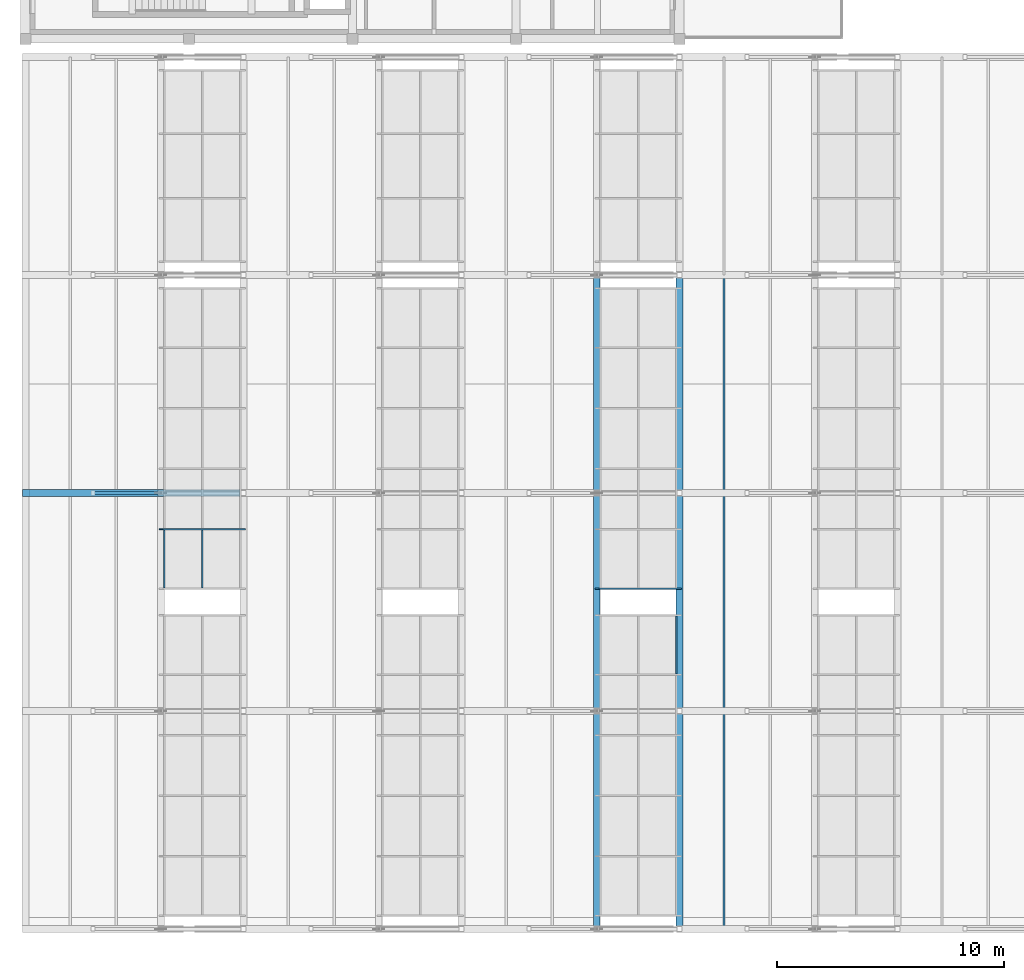
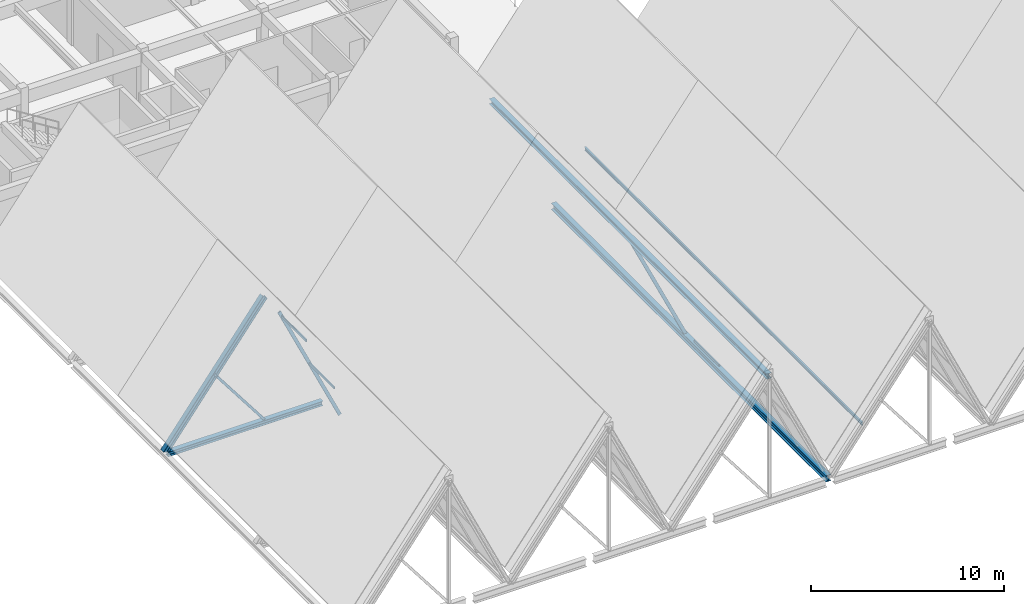
# One storey, part 13 of 99: 9 members, 2 beams, 3 elements without a shape of their own.
"""IFC4 building model written with IfcOpenShell, lengths in metres."""

from ifc_helpers import new_model, si_unit, direction, frame, origin, origin_2d, place, context, subcontext, project, spatial, hollow_rectangle, i_section, extrude, material, material_profile, profile_set, type_object, element, aggregate, save


model = new_model("IFC4")

# Units and contexts
model_context = context("Model", 3, precision=1e-05, world=origin(), true_north=direction((0.0, 1.0)))
body_context = subcontext(model_context, "Body", "Model", "MODEL_VIEW")
ifc_project = project(units=[si_unit("LENGTHUNIT", "METRE"), si_unit("AREAUNIT", "SQUARE_METRE"), si_unit("VOLUMEUNIT", "CUBIC_METRE"), si_unit("PLANEANGLEUNIT", "RADIAN"), si_unit("MASSUNIT", "GRAM", prefix="KILO")], contexts=[model_context])

# Site, building, storey
site_placement = place(None, origin())
site = spatial("IfcSite", under=ifc_project, at=site_placement, CompositionType="ELEMENT")
building_placement = place(site_placement, origin())
building = spatial("IfcBuilding", under=site, at=building_placement, Name="Bramveld Media Centre", CompositionType="ELEMENT")
storey_placement = place(building_placement, frame((0.0, 0.0, 13.800048828125)))
storey = spatial("IfcBuildingStorey", under=building, at=storey_placement, Name="L03", CompositionType="ELEMENT", Elevation=13.800048828125)

# Curtain wall, member
ifc_material_1 = material(Name="Thermally broken anodized bronze aluminium unitized curtain wall with solar-control triple glazing", Category="aluminium")
curtain_wall_type = type_object("IfcCurtainWallType", Name="CW-SAW-13300x8606", PredefinedType="NOTDEFINED", material=ifc_material_1)
curtain_wall_1_placement = place(storey_placement, origin())
curtain_wall_1 = element("IfcCurtainWall", 1, at=curtain_wall_1_placement, inside=storey, type_object=curtain_wall_type, Name="V2 sawtooth north-light clerestory B1-S2", PredefinedType="NOTDEFINED")
ifc_material_2 = material(Name="Thermally broken anodized bronze aluminium EN AW-6063 T6 curtain-wall framing", Category="aluminium")
ifc_material_profile_1 = material_profile(ifc_material_2, hollow_rectangle(XDim=0.070068359375, YDim=0.199951171875, WallThickness=0.00439453125, InnerFilletRadius=0.00439453125, OuterFilletRadius=0.009033203125, at=origin_2d()), Name="AL-MULL 70x200")
ifc_profile_set_1 = profile_set([ifc_material_profile_1], Name="Thermally broken anodized bronze aluminium EN AW-6063 T6 curtain-wall framing")
member_type_1 = type_object("IfcMemberType", Name="CW-MULL-SLP", PredefinedType="MULLION", material=ifc_profile_set_1)
member_1_placement = place(storey_placement, frame((9.60009765625, 17.610107421875, -0.02001953125), z_axis=(-0.423956992265, 0.0, 0.90568232218), x_axis=(0.0, -1.0, 0.0)))
member_1 = element("IfcMember", 2, at=member_1_placement, type_object=member_type_1, Name="CW-SA-13386 sloped mullion 2", PredefinedType="MULLION", context=body_context, shape_type="SweptSolid", body=[
    extrude(hollow_rectangle(XDim=0.070068359375, YDim=0.199951171875, WallThickness=0.00439453125, InnerFilletRadius=0.00439453125, OuterFilletRadius=0.009033203125, at=origin_2d()), origin(), (0.0, 0.0, 1.0), 8.5791015625),
])

curtain_wall_2_placement = place(storey_placement, origin())
curtain_wall_2 = element("IfcCurtainWall", 3, at=curtain_wall_2_placement, inside=storey, type_object=curtain_wall_type, Name="V2 sawtooth north-light clerestory B3-S2", PredefinedType="NOTDEFINED")
member_2_placement = place(storey_placement, frame((28.800048828125, 14.985107421875, -0.02001953125), z_axis=(-0.423956992265, 0.0, 0.90568232218), x_axis=(0.0, -1.0, 0.0)))
member_2 = element("IfcMember", 4, at=member_2_placement, type_object=member_type_1, Name="CW-SA-13386 sloped mullion 1", PredefinedType="MULLION", context=body_context, shape_type="SweptSolid", body=[
    extrude(hollow_rectangle(XDim=0.070068359375, YDim=0.199951171875, WallThickness=0.00439453125, InnerFilletRadius=0.00439453125, OuterFilletRadius=0.009033203125, at=origin_2d()), origin(), (0.0, 0.0, 1.0), 8.5791015625),
])
aggregate(curtain_wall_2, [member_2])

# Member
ifc_material_3 = material(Name="Thermally broken anodized bronze aluminium EN AW-6063 T6 curtain-wall framing", Category="aluminium")
ifc_material_profile_2 = material_profile(ifc_material_3, hollow_rectangle(XDim=0.070068359375, YDim=0.14990234375, WallThickness=0.00390625, InnerFilletRadius=0.00390625, OuterFilletRadius=0.008056640625, at=origin_2d()), Name="AL-TRAN 70x150")
ifc_profile_set_2 = profile_set([ifc_material_profile_2], Name="Thermally broken anodized bronze aluminium EN AW-6063 T6 curtain-wall framing")
member_type_2 = type_object("IfcMemberType", Name="CW-TRAN-SLP", PredefinedType="USERDEFINED", material=ifc_profile_set_2)
member_3_placement = place(storey_placement, frame((7.781494140625, 15.02001953125, 3.864990234375), z_axis=(0.0, 1.0, 0.0), x_axis=(-1.0, 0.0, 0.0)))
member_3 = element("IfcMember", 5, at=member_3_placement, type_object=member_type_2, Name="CW-SA-13386 transom 1.2", ObjectType="TRANSOM", PredefinedType="USERDEFINED", context=body_context, shape_type="SweptSolid", body=[
    extrude(hollow_rectangle(XDim=0.070068359375, YDim=0.14990234375, WallThickness=0.00390625, InnerFilletRadius=0.00390625, OuterFilletRadius=0.008056640625, at=origin_2d()), origin(), (0.0, 0.0, 1.0), 2.554931640625),
])

member_4_placement = place(storey_placement, frame((6.1083984375, 15.02001953125, 7.439208984375), z_axis=(0.0, 1.0, 0.0), x_axis=(-1.0, 0.0, 0.0)))
member_4 = element("IfcMember", 6, at=member_4_placement, type_object=member_type_2, Name="CW-SA-13386 transom 1.3", ObjectType="TRANSOM", PredefinedType="USERDEFINED", context=body_context, shape_type="SweptSolid", body=[
    extrude(hollow_rectangle(XDim=0.070068359375, YDim=0.14990234375, WallThickness=0.00390625, InnerFilletRadius=0.00390625, OuterFilletRadius=0.008056640625, at=origin_2d()), origin(), (0.0, 0.0, 1.0), 2.554931640625),
])

aggregate(curtain_wall_1, [member_1, member_3, member_4])

# Curtain wall, member
curtain_wall_3_placement = place(storey_placement, origin())
curtain_wall_3 = element("IfcCurtainWall", 7, at=curtain_wall_3_placement, inside=storey, type_object=curtain_wall_type, Name="V2 sawtooth north-light clerestory B3-S1", PredefinedType="NOTDEFINED")
member_5_placement = place(storey_placement, frame((28.654541015625, 11.22509765625, 0.290771484375), z_axis=(0.0, 1.0, 0.0), x_axis=(-1.0, 0.0, 0.0)))
member_5 = element("IfcMember", 8, at=member_5_placement, type_object=member_type_2, Name="CW-SA-13386 transom 5.1", ObjectType="TRANSOM", PredefinedType="USERDEFINED", context=body_context, shape_type="SweptSolid", body=[
    extrude(hollow_rectangle(XDim=0.070068359375, YDim=0.14990234375, WallThickness=0.00390625, InnerFilletRadius=0.00390625, OuterFilletRadius=0.008056640625, at=origin_2d()), origin(), (0.0, 0.0, 1.0), 2.554931640625),
])
aggregate(curtain_wall_3, [member_5])

# Members
ifc_material_4 = material(Name="Steel S355J2H", Category="steel")
ifc_material_profile_3 = material_profile(ifc_material_4, hollow_rectangle(XDim=0.14990234375, YDim=0.14990234375, WallThickness=0.010009765625, InnerFilletRadius=0.010009765625, OuterFilletRadius=0.02001953125, at=origin_2d()), Name="SHS 150x150x10")
ifc_profile_set_3 = profile_set([ifc_material_profile_3], Name="Steel S355J2H")
member_type_3 = type_object("IfcMemberType", Name="MEM-BRACE-SHS150", PredefinedType="BRACE", material=ifc_profile_set_3)
member_6_placement = place(storey_placement, frame((5.962890625, 19.199951171875, 0.0), z_axis=(-0.607343034298, 0.0, 0.794439701104), x_axis=(0.0, -1.0, 0.0)))
element("IfcMember", 9, at=member_6_placement, inside=storey, type_object=member_type_3, Name="TRUSS-V2-B01-F3 web diagonal", PredefinedType="BRACE", context=body_context, shape_type="SweptSolid", body=[
    extrude(hollow_rectangle(XDim=0.14990234375, YDim=0.14990234375, WallThickness=0.010009765625, InnerFilletRadius=0.010009765625, OuterFilletRadius=0.02001953125, at=origin_2d()), origin(), (0.0, 0.0, 1.0), 4.908935546875),
])
ifc_material_5 = material(Name="Steel S355J2", Category="steel")
ifc_material_profile_4 = material_profile(ifc_material_5, i_section(OverallWidth=0.300048828125, OverallDepth=0.2900390625, WebThickness=0.008544921875, FlangeThickness=0.013916015625, FilletRadius=0.027099609375, at=origin_2d()), Name="HEA 300")
ifc_profile_set_4 = profile_set([ifc_material_profile_4], Name="Steel S355J2")
member_type_4 = type_object("IfcMemberType", Name="MEM-CHORD-HEA300", PredefinedType="CHORD", material=ifc_profile_set_4)
member_7_placement = place(storey_placement, frame((0.159912109375, 19.199951171875, -0.14501953125), z_axis=(1.0, 0.0, 0.0), x_axis=(0.0, 1.0, 0.0)))
element("IfcMember", 10, at=member_7_placement, inside=storey, type_object=member_type_4, Name="TRUSS-V2-B01-F3 bottom tie chord", PredefinedType="CHORD", context=body_context, shape_type="SweptSolid", body=[
    extrude(i_section(OverallWidth=0.300048828125, OverallDepth=0.2900390625, WebThickness=0.008544921875, FlangeThickness=0.013916015625, FilletRadius=0.027099609375, at=origin_2d()), origin(), (0.0, 0.0, 1.0), 9.280029296875),
])
ifc_material_6 = material(Name="Steel S355J2", Category="steel")
ifc_material_profile_5 = material_profile(ifc_material_6, i_section(OverallWidth=0.300048828125, OverallDepth=0.340087890625, WebThickness=0.011962890625, FlangeThickness=0.021484375, FilletRadius=0.027099609375, at=origin_2d()), Name="HEB 340")
ifc_profile_set_5 = profile_set([ifc_material_profile_5], Name="Steel S355J2")
member_type_5 = type_object("IfcMemberType", Name="MEM-CHORD-HEB340", PredefinedType="CHORD", material=ifc_profile_set_5)
member_8_placement = place(storey_placement, frame((0.0, 19.199951171875, 0.0), z_axis=(0.607331036372, 0.0, 0.794448873282), x_axis=(0.0, 1.0, 0.0)))
element("IfcMember", 11, at=member_8_placement, inside=storey, type_object=member_type_5, Name="TRUSS-V2-B01-F3 top rafter chord", PredefinedType="CHORD", context=body_context, shape_type="SweptSolid", body=[
    extrude(i_section(OverallWidth=0.300048828125, OverallDepth=0.340087890625, WebThickness=0.011962890625, FlangeThickness=0.021484375, FilletRadius=0.027099609375, at=origin_2d()), origin(), (0.0, 0.0, 1.0), 9.818115234375),
])
ifc_material_7 = material(Name="Steel S355J2", Category="steel")
ifc_material_profile_6 = material_profile(ifc_material_7, i_section(OverallWidth=0.10009765625, OverallDepth=0.199951171875, WebThickness=0.005615234375, FlangeThickness=0.008544921875, FilletRadius=0.011962890625, at=origin_2d()), Name="IPE 200")
ifc_profile_set_6 = profile_set([ifc_material_profile_6], Name="Steel S355J2")
member_type_6 = type_object("IfcMemberType", Name="MEM-PURLIN-IPE200", PredefinedType="PURLIN", material=ifc_profile_set_6)
member_9_placement = place(storey_placement, frame((30.767578125, 0.0, 2.650146484375), z_axis=(0.0, 1.0, 0.0), x_axis=(-1.0, 0.0, 0.0)))
element("IfcMember", 12, at=member_9_placement, inside=storey, type_object=member_type_6, Name="V2 roof purlin", PredefinedType="PURLIN", context=body_context, shape_type="SweptSolid", body=[
    extrude(i_section(OverallWidth=0.10009765625, OverallDepth=0.199951171875, WebThickness=0.005615234375, FlangeThickness=0.008544921875, FilletRadius=0.011962890625, at=origin_2d()), origin(), (0.0, 0.0, 1.0), 28.800048828125),
])

# Beams
ifc_material_8 = material(Name="Steel S355J2", Category="steel")
ifc_material_profile_7 = material_profile(ifc_material_8, i_section(OverallWidth=0.300048828125, OverallDepth=0.330078125, WebThickness=0.009521484375, FlangeThickness=0.0166015625, FilletRadius=0.027099609375, at=origin_2d()), Name="HEA 340")
ifc_profile_set_7 = profile_set([ifc_material_profile_7], Name="Steel S355J2")
beam_type_1 = type_object("IfcBeamType", Name="SBM-INT-HEA-340", PredefinedType="BEAM", material=ifc_profile_set_7)
beam_1_placement = place(storey_placement, frame((25.162841796875, 0.0, 7.635009765625), z_axis=(0.0, 1.0, 0.0), x_axis=(-1.0, 0.0, 0.0)))
element("IfcBeam", 13, at=beam_1_placement, inside=storey, type_object=beam_type_1, Name="V2 ridge spine beam", PredefinedType="BEAM", context=body_context, shape_type="SweptSolid", body=[
    extrude(i_section(OverallWidth=0.300048828125, OverallDepth=0.330078125, WebThickness=0.009521484375, FlangeThickness=0.0166015625, FilletRadius=0.027099609375, at=origin_2d()), origin(), (0.0, 0.0, 1.0), 28.800048828125),
])
ifc_material_9 = material(Name="Steel S355J2", Category="steel")
ifc_material_profile_8 = material_profile(ifc_material_9, i_section(OverallWidth=0.300048828125, OverallDepth=0.39990234375, WebThickness=0.013427734375, FlangeThickness=0.02392578125, FilletRadius=0.027099609375, at=origin_2d()), Name="HEB 400")
ifc_profile_set_8 = profile_set([ifc_material_profile_8], Name="Steel S355J2")
beam_type_2 = type_object("IfcBeamType", Name="SBM-INT-HEB-400", PredefinedType="BEAM", material=ifc_profile_set_8)
beam_2_placement = place(storey_placement, frame((28.800048828125, 0.139892578125, -0.199951171875), z_axis=(0.0, 1.0, 0.0), x_axis=(-1.0, 0.0, 0.0)))
element("IfcBeam", 14, at=beam_2_placement, inside=storey, type_object=beam_type_2, Name="V2 valley spine girder 3", PredefinedType="BEAM", context=body_context, shape_type="SweptSolid", body=[
    extrude(i_section(OverallWidth=0.300048828125, OverallDepth=0.39990234375, WebThickness=0.013427734375, FlangeThickness=0.02392578125, FilletRadius=0.027099609375, at=origin_2d()), origin(), (0.0, 0.0, 1.0), 28.52001953125),
])

save(model, "model.ifc")
